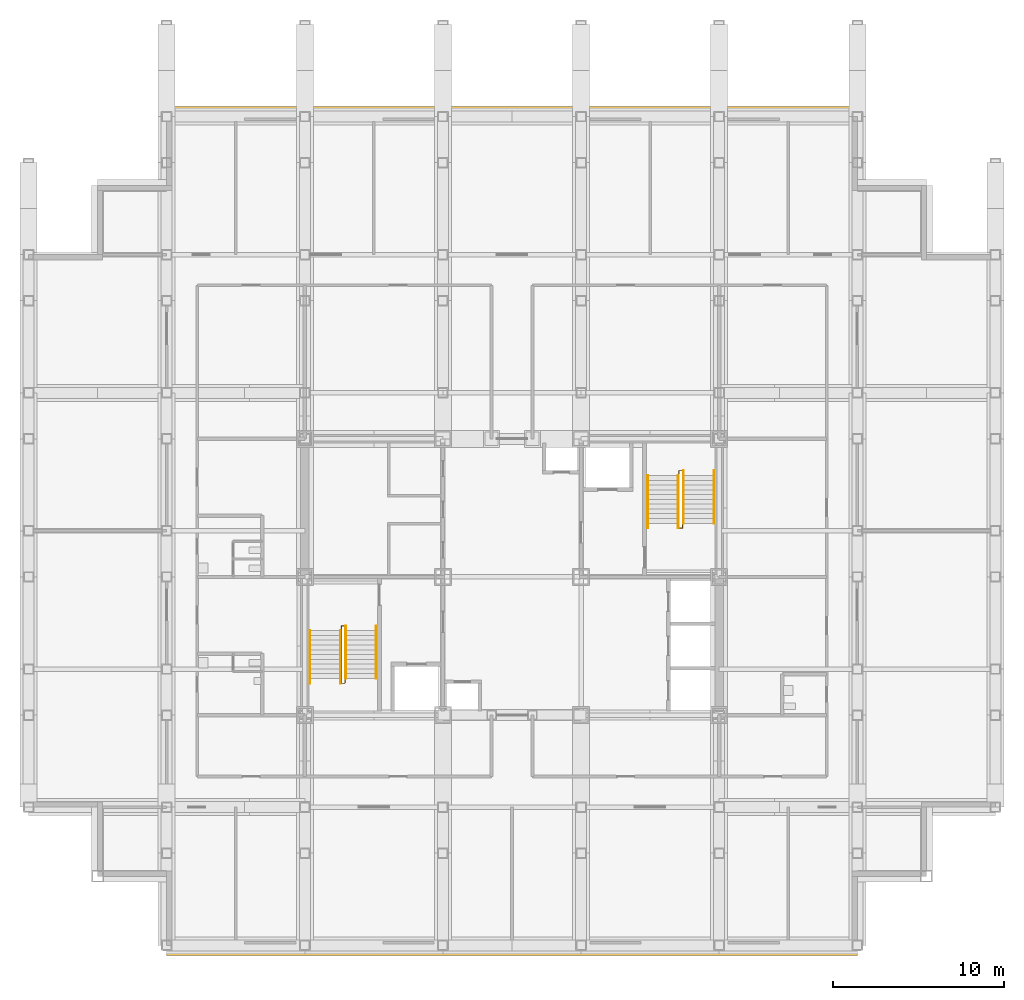
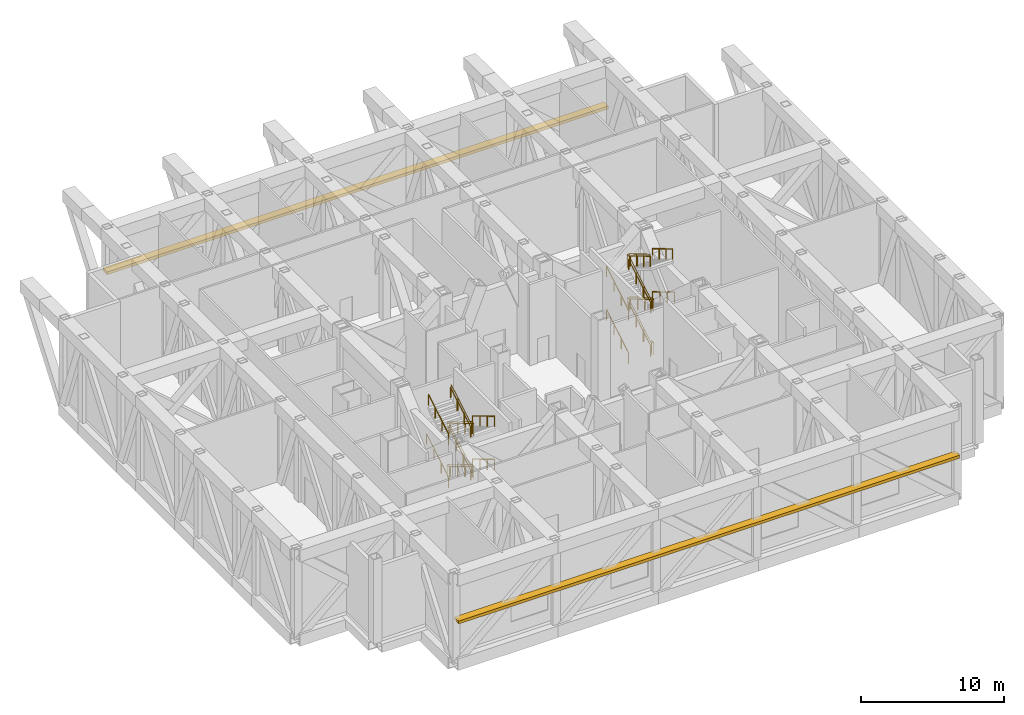
# One storey, part 12 of 13: 18 railings, 2 shading devices.
"""IFC4 building model written with IfcOpenShell, lengths in metres."""

from ifc_helpers import new_model, si_unit, direction, frame, origin, origin_2d, place, context, subcontext, project, spatial, rectangle, circle, extrude, material, type_object, element, save


model = new_model("IFC4")

# Units and contexts
model_context = context("Model", 3, precision=1e-05, world=origin(), true_north=direction((0.0, 1.0)))
body_context = subcontext(model_context, "Body", "Model", "MODEL_VIEW")
ifc_project = project(units=[si_unit("LENGTHUNIT", "METRE"), si_unit("AREAUNIT", "SQUARE_METRE"), si_unit("VOLUMEUNIT", "CUBIC_METRE"), si_unit("PLANEANGLEUNIT", "RADIAN"), si_unit("MASSUNIT", "GRAM", prefix="KILO")], contexts=[model_context])

# Site, building, storey
site_placement = place(None, origin())
site = spatial("IfcSite", under=ifc_project, at=site_placement, CompositionType="ELEMENT")
building_placement = place(site_placement, origin())
building = spatial("IfcBuilding", under=site, at=building_placement, Name="Kopane Lantern Tower", CompositionType="ELEMENT")
storey_placement = place(building_placement, frame((0.0, 0.0, 235.199951171875)))
storey = spatial("IfcBuildingStorey", under=building, at=storey_placement, Name="L61", CompositionType="ELEMENT", Elevation=235.199951171875)

# Railings
ifc_material_1 = material(Name="Steel", Category="steel")
railing_type_1 = type_object("IfcRailingType", Name="STAIR GUARD 1100", PredefinedType="GUARDRAIL", material=ifc_material_1)
railing_1_placement = place(storey_placement, frame((18.35009765625, 29.25, 0.0)))
element("IfcRailing", 1, at=railing_1_placement, inside=storey, type_object=railing_type_1, Name="ST1 well guard L61", PredefinedType="GUARDRAIL", context=body_context, shape_type="SweptSolid", body=[
    extrude(circle(Radius=0.02392578125, at=origin_2d()), frame((0.0, 0.0, 1.076171875), z_axis=(0.0, 1.0, 0.0), x_axis=(-1.0, 0.0, 0.0)), (0.0, 0.0, 1.0), 0.280029296875),
    extrude(circle(Radius=0.02392578125, at=origin_2d()), frame((0.0, 0.280029296875, 1.076171875), z_axis=(1.0, 0.0, 0.0), x_axis=(0.0, 1.0, 0.0)), (0.0, 0.0, 1.0), 0.199951171875),
    extrude(circle(Radius=0.02392578125, at=origin_2d()), frame((0.199951171875, 0.280029296875, 1.076171875), z_axis=(0.0, -0.85823033734, 0.513264734879), x_axis=(1.0, 0.0, 0.0)), (0.0, 0.0, 1.0), 3.5888671875),
    extrude(circle(Radius=0.02392578125, at=origin_2d()), frame((0.199951171875, -2.800048828125, 2.91796875), z_axis=(0.0, -1.0, 0.0), x_axis=(1.0, 0.0, 0.0)), (0.0, 0.0, 1.0), 0.280029296875),
    extrude(circle(Radius=0.02392578125, at=origin_2d()), frame((0.199951171875, -3.080078125, 2.91796875), z_axis=(-1.0, 0.0, 0.0), x_axis=(0.0, -1.0, 0.0)), (0.0, 0.0, 1.0), 0.199951171875),
    extrude(circle(Radius=0.02392578125, at=origin_2d()), frame((0.0, -3.080078125, 2.91796875), z_axis=(0.0, 0.858260302833, 0.513214626234), x_axis=(-1.0, 0.0, 0.0)), (0.0, 0.0, 1.0), 3.5888671875),
    extrude(circle(Radius=0.02392578125, at=origin_2d()), frame((0.0, 0.0, 4.759765625), z_axis=(0.0, 1.0, 0.0), x_axis=(-1.0, 0.0, 0.0)), (0.0, 0.0, 1.0), 0.280029296875),
    extrude(circle(Radius=0.02392578125, at=origin_2d()), frame((0.0, 0.280029296875, 4.759765625), z_axis=(1.0, 0.0, 0.0), x_axis=(0.0, 1.0, 0.0)), (0.0, 0.0, 1.0), 0.199951171875),
    extrude(circle(Radius=0.02392578125, at=origin_2d()), frame((0.199951171875, 0.280029296875, 4.759765625), z_axis=(0.0, -0.858260302833, 0.513214626234), x_axis=(1.0, 0.0, 0.0)), (0.0, 0.0, 1.0), 3.5888671875),
    extrude(circle(Radius=0.02392578125, at=origin_2d()), frame((0.199951171875, -2.800048828125, 6.6015625), z_axis=(0.0, -1.0, 0.0), x_axis=(1.0, 0.0, 0.0)), (0.0, 0.0, 1.0), 0.280029296875),
    extrude(circle(Radius=0.02392578125, at=origin_2d()), frame((0.199951171875, -3.080078125, 6.6015625), z_axis=(-1.0, 0.0, 0.0), x_axis=(0.0, -1.0, 0.0)), (0.0, 0.0, 1.0), 0.199951171875),
    extrude(circle(Radius=0.02392578125, at=origin_2d()), frame((0.0, -3.080078125, 6.6015625), z_axis=(0.0, 0.858264504049, 0.513207600381), x_axis=(-1.0, 0.0, 0.0)), (0.0, 0.0, 1.0), 3.262451171875),
    extrude(circle(Radius=0.02099609375, at=origin_2d()), origin(), (0.0, 0.0, 1.0), 1.052001953125),
    extrude(circle(Radius=0.02099609375, at=origin_2d()), frame((0.0, 0.280029296875, 0.0)), (0.0, 0.0, 1.0), 1.052001953125),
    extrude(circle(Radius=0.02099609375, at=origin_2d()), frame((0.199951171875, 0.280029296875, 0.0)), (0.0, 0.0, 1.0), 1.052001953125),
    extrude(circle(Radius=0.02099609375, at=origin_2d()), frame((0.199951171875, -0.74658203125, 0.614013671875)), (0.0, 0.0, 1.0), 1.052001953125),
    extrude(circle(Radius=0.02099609375, at=origin_2d()), frame((0.199951171875, -1.7734375, 1.22802734375)), (0.0, 0.0, 1.0), 1.052001953125),
    extrude(circle(Radius=0.02099609375, at=origin_2d()), frame((0.199951171875, -2.800048828125, 1.842041015625)), (0.0, 0.0, 1.0), 1.052001953125),
    extrude(circle(Radius=0.02099609375, at=origin_2d()), frame((0.199951171875, -3.080078125, 1.842041015625)), (0.0, 0.0, 1.0), 1.052001953125),
    extrude(circle(Radius=0.02099609375, at=origin_2d()), frame((0.0, -3.080078125, 1.842041015625)), (0.0, 0.0, 1.0), 1.052001953125),
    extrude(circle(Radius=0.02099609375, at=origin_2d()), frame((0.0, -2.053466796875, 2.4560546875)), (0.0, 0.0, 1.0), 1.052001953125),
    extrude(circle(Radius=0.02099609375, at=origin_2d()), frame((0.0, -1.026611328125, 3.06982421875)), (0.0, 0.0, 1.0), 1.052001953125),
    extrude(circle(Radius=0.02099609375, at=origin_2d()), frame((0.0, 0.0, 3.683837890625)), (0.0, 0.0, 1.0), 1.052001953125),
    extrude(circle(Radius=0.02099609375, at=origin_2d()), frame((0.0, 0.280029296875, 3.683837890625)), (0.0, 0.0, 1.0), 1.052001953125),
    extrude(circle(Radius=0.02099609375, at=origin_2d()), frame((0.199951171875, 0.280029296875, 3.683837890625)), (0.0, 0.0, 1.0), 1.052001953125),
    extrude(circle(Radius=0.02099609375, at=origin_2d()), frame((0.199951171875, -0.74658203125, 4.2978515625)), (0.0, 0.0, 1.0), 1.052001953125),
    extrude(circle(Radius=0.02099609375, at=origin_2d()), frame((0.199951171875, -1.7734375, 4.91162109375)), (0.0, 0.0, 1.0), 1.052001953125),
    extrude(circle(Radius=0.02099609375, at=origin_2d()), frame((0.199951171875, -2.800048828125, 5.525634765625)), (0.0, 0.0, 1.0), 1.052001953125),
    extrude(circle(Radius=0.02099609375, at=origin_2d()), frame((0.199951171875, -3.080078125, 5.525634765625)), (0.0, 0.0, 1.0), 1.052001953125),
    extrude(circle(Radius=0.02099609375, at=origin_2d()), frame((0.0, -3.080078125, 5.525634765625)), (0.0, 0.0, 1.0), 1.052001953125),
    extrude(circle(Radius=0.02099609375, at=origin_2d()), frame((0.0, -2.146728515625, 6.083740234375)), (0.0, 0.0, 1.0), 1.052001953125),
    extrude(circle(Radius=0.02099609375, at=origin_2d()), frame((0.0, -1.21337890625, 6.641845703125)), (0.0, 0.0, 1.0), 1.052001953125),
    extrude(circle(Radius=0.02099609375, at=origin_2d()), frame((0.0, -0.280029296875, 7.199951171875)), (0.0, 0.0, 1.0), 1.052001953125),
])
railing_2_placement = place(storey_placement, frame((38.35009765625, 35.550048828125, 0.0)))
element("IfcRailing", 2, at=railing_2_placement, inside=storey, type_object=railing_type_1, Name="ST2 well guard L61", PredefinedType="GUARDRAIL", context=body_context, shape_type="SweptSolid", body=[
    extrude(circle(Radius=0.02392578125, at=origin_2d()), frame((0.0, 0.0, 1.076171875), z_axis=(0.0, -1.0, 0.0), x_axis=(1.0, 0.0, 0.0)), (0.0, 0.0, 1.0), 0.280029296875),
    extrude(circle(Radius=0.02392578125, at=origin_2d()), frame((0.0, -0.280029296875, 1.076171875), z_axis=(-1.0, 0.0, 0.0), x_axis=(0.0, -1.0, 0.0)), (0.0, 0.0, 1.0), 0.2001953125),
    extrude(circle(Radius=0.02392578125, at=origin_2d()), frame((-0.2001953125, -0.280029296875, 1.076171875), z_axis=(0.0, 0.85823033734, 0.513264734879), x_axis=(-1.0, 0.0, 0.0)), (0.0, 0.0, 1.0), 3.5888671875),
    extrude(circle(Radius=0.02392578125, at=origin_2d()), frame((-0.2001953125, 2.800048828125, 2.91796875), z_axis=(0.0, 1.0, 0.0), x_axis=(-1.0, 0.0, 0.0)), (0.0, 0.0, 1.0), 0.27978515625),
    extrude(circle(Radius=0.02392578125, at=origin_2d()), frame((-0.2001953125, 3.079833984375, 2.91796875), z_axis=(1.0, 0.0, 0.0), x_axis=(0.0, 1.0, 0.0)), (0.0, 0.0, 1.0), 0.2001953125),
    extrude(circle(Radius=0.02392578125, at=origin_2d()), frame((0.0, 3.079833984375, 2.91796875), z_axis=(0.0, -0.858242383022, 0.513244592748), x_axis=(1.0, 0.0, 0.0)), (0.0, 0.0, 1.0), 3.588623046875),
    extrude(circle(Radius=0.02392578125, at=origin_2d()), frame((0.0, 0.0, 4.759765625), z_axis=(0.0, -1.0, 0.0), x_axis=(1.0, 0.0, 0.0)), (0.0, 0.0, 1.0), 0.280029296875),
    extrude(circle(Radius=0.02392578125, at=origin_2d()), frame((0.0, -0.280029296875, 4.759765625), z_axis=(-1.0, 0.0, 0.0), x_axis=(0.0, -1.0, 0.0)), (0.0, 0.0, 1.0), 0.2001953125),
    extrude(circle(Radius=0.02392578125, at=origin_2d()), frame((-0.2001953125, -0.280029296875, 4.759765625), z_axis=(0.0, 0.858260302833, 0.513214626234), x_axis=(-1.0, 0.0, 0.0)), (0.0, 0.0, 1.0), 3.5888671875),
    extrude(circle(Radius=0.02392578125, at=origin_2d()), frame((-0.2001953125, 2.800048828125, 6.6015625), z_axis=(0.0, 1.0, 0.0), x_axis=(-1.0, 0.0, 0.0)), (0.0, 0.0, 1.0), 0.27978515625),
    extrude(circle(Radius=0.02392578125, at=origin_2d()), frame((-0.2001953125, 3.079833984375, 6.6015625), z_axis=(1.0, 0.0, 0.0), x_axis=(0.0, 1.0, 0.0)), (0.0, 0.0, 1.0), 0.2001953125),
    extrude(circle(Radius=0.02392578125, at=origin_2d()), frame((0.0, 3.079833984375, 6.6015625), z_axis=(0.0, -0.858244792371, 0.513240563837), x_axis=(1.0, 0.0, 0.0)), (0.0, 0.0, 1.0), 3.26220703125),
    extrude(circle(Radius=0.02099609375, at=origin_2d()), origin(), (0.0, 0.0, 1.0), 1.052001953125),
    extrude(circle(Radius=0.02099609375, at=origin_2d()), frame((0.0, -0.280029296875, 0.0)), (0.0, 0.0, 1.0), 1.052001953125),
    extrude(circle(Radius=0.02099609375, at=origin_2d()), frame((-0.2001953125, -0.280029296875, 0.0)), (0.0, 0.0, 1.0), 1.052001953125),
    extrude(circle(Radius=0.02099609375, at=origin_2d()), frame((-0.2001953125, 0.74658203125, 0.614013671875)), (0.0, 0.0, 1.0), 1.052001953125),
    extrude(circle(Radius=0.02099609375, at=origin_2d()), frame((-0.2001953125, 1.7734375, 1.22802734375)), (0.0, 0.0, 1.0), 1.052001953125),
    extrude(circle(Radius=0.02099609375, at=origin_2d()), frame((-0.2001953125, 2.800048828125, 1.842041015625)), (0.0, 0.0, 1.0), 1.052001953125),
    extrude(circle(Radius=0.02099609375, at=origin_2d()), frame((-0.2001953125, 3.079833984375, 1.842041015625)), (0.0, 0.0, 1.0), 1.052001953125),
    extrude(circle(Radius=0.02099609375, at=origin_2d()), frame((0.0, 3.079833984375, 1.842041015625)), (0.0, 0.0, 1.0), 1.052001953125),
    extrude(circle(Radius=0.02099609375, at=origin_2d()), frame((0.0, 2.05322265625, 2.4560546875)), (0.0, 0.0, 1.0), 1.052001953125),
    extrude(circle(Radius=0.02099609375, at=origin_2d()), frame((0.0, 1.026611328125, 3.06982421875)), (0.0, 0.0, 1.0), 1.052001953125),
    extrude(circle(Radius=0.02099609375, at=origin_2d()), frame((0.0, 0.0, 3.683837890625)), (0.0, 0.0, 1.0), 1.052001953125),
    extrude(circle(Radius=0.02099609375, at=origin_2d()), frame((0.0, -0.280029296875, 3.683837890625)), (0.0, 0.0, 1.0), 1.052001953125),
    extrude(circle(Radius=0.02099609375, at=origin_2d()), frame((-0.2001953125, -0.280029296875, 3.683837890625)), (0.0, 0.0, 1.0), 1.052001953125),
    extrude(circle(Radius=0.02099609375, at=origin_2d()), frame((-0.2001953125, 0.74658203125, 4.2978515625)), (0.0, 0.0, 1.0), 1.052001953125),
    extrude(circle(Radius=0.02099609375, at=origin_2d()), frame((-0.2001953125, 1.7734375, 4.91162109375)), (0.0, 0.0, 1.0), 1.052001953125),
    extrude(circle(Radius=0.02099609375, at=origin_2d()), frame((-0.2001953125, 2.800048828125, 5.525634765625)), (0.0, 0.0, 1.0), 1.052001953125),
    extrude(circle(Radius=0.02099609375, at=origin_2d()), frame((-0.2001953125, 3.079833984375, 5.525634765625)), (0.0, 0.0, 1.0), 1.052001953125),
    extrude(circle(Radius=0.02099609375, at=origin_2d()), frame((0.0, 3.079833984375, 5.525634765625)), (0.0, 0.0, 1.0), 1.052001953125),
    extrude(circle(Radius=0.02099609375, at=origin_2d()), frame((0.0, 2.146484375, 6.083740234375)), (0.0, 0.0, 1.0), 1.052001953125),
    extrude(circle(Radius=0.02099609375, at=origin_2d()), frame((0.0, 1.21337890625, 6.641845703125)), (0.0, 0.0, 1.0), 1.052001953125),
    extrude(circle(Radius=0.02099609375, at=origin_2d()), frame((0.0, 0.280029296875, 7.199951171875)), (0.0, 0.0, 1.0), 1.052001953125),
])
ifc_material_2 = material(Name="Steel", Category="steel")
railing_type_2 = type_object("IfcRailingType", Name="STAIR HANDRAIL 900", PredefinedType="HANDRAIL", material=ifc_material_2)
for number, where, name in (
    (3, (20.389892578125, 29.530029296875, 0.0), "ST1 handrail L61 flight 1"),
    (4, (18.610107421875, 29.530029296875, 0.0), "ST1 handrail L61 flight 1"),
):
    element("IfcRailing", number, at=place(storey_placement, frame(where)), inside=storey, type_object=railing_type_2, Name=name, PredefinedType="HANDRAIL", context=body_context, shape_type="SweptSolid", body=[
        extrude(circle(Radius=0.02392578125, at=origin_2d()), frame((0.0, 0.0, 0.8759765625), z_axis=(0.0, -0.85823033734, 0.513264734879), x_axis=(1.0, 0.0, 0.0)), (0.0, 0.0, 1.0), 3.5888671875),
        extrude(circle(Radius=0.02099609375, at=origin_2d()), origin(), (0.0, 0.0, 1.0), 0.851806640625),
        extrude(circle(Radius=0.02099609375, at=origin_2d()), frame((0.0, -1.026611328125, 0.614013671875)), (0.0, 0.0, 1.0), 0.851806640625),
        extrude(circle(Radius=0.02099609375, at=origin_2d()), frame((0.0, -2.053466796875, 1.22802734375)), (0.0, 0.0, 1.0), 0.851806640625),
        extrude(circle(Radius=0.02099609375, at=origin_2d()), frame((0.0, -3.080078125, 1.842041015625)), (0.0, 0.0, 1.0), 0.851806640625),
    ])
for number, where, name in (
    (5, (16.510009765625, 26.169921875, 1.842041015625), "ST1 handrail L61 flight 2"),
    (6, (18.2900390625, 26.169921875, 1.842041015625), "ST1 handrail L61 flight 2"),
):
    element("IfcRailing", number, at=place(storey_placement, frame(where)), inside=storey, type_object=railing_type_2, Name=name, PredefinedType="HANDRAIL", context=body_context, shape_type="SweptSolid", body=[
        extrude(circle(Radius=0.02392578125, at=origin_2d()), frame((0.0, 0.0, 0.8759765625), z_axis=(0.0, 0.858260302833, 0.513214626234), x_axis=(-1.0, 0.0, 0.0)), (0.0, 0.0, 1.0), 3.5888671875),
        extrude(circle(Radius=0.02099609375, at=origin_2d()), origin(), (0.0, 0.0, 1.0), 0.851806640625),
        extrude(circle(Radius=0.02099609375, at=origin_2d()), frame((0.0, 1.026611328125, 0.614013671875)), (0.0, 0.0, 1.0), 0.851806640625),
        extrude(circle(Radius=0.02099609375, at=origin_2d()), frame((0.0, 2.053466796875, 1.227783203125)), (0.0, 0.0, 1.0), 0.851806640625),
        extrude(circle(Radius=0.02099609375, at=origin_2d()), frame((0.0, 3.080078125, 1.841796875)), (0.0, 0.0, 1.0), 0.851806640625),
    ])
for number, where, name in (
    (7, (20.389892578125, 29.530029296875, 3.683837890625), "ST1 handrail L61 flight 3"),
    (8, (18.610107421875, 29.530029296875, 3.683837890625), "ST1 handrail L61 flight 3"),
):
    element("IfcRailing", number, at=place(storey_placement, frame(where)), inside=storey, type_object=railing_type_2, Name=name, PredefinedType="HANDRAIL", context=body_context, shape_type="SweptSolid", body=[
        extrude(circle(Radius=0.02392578125, at=origin_2d()), frame((0.0, 0.0, 0.8759765625), z_axis=(0.0, -0.858260302833, 0.513214626234), x_axis=(1.0, 0.0, 0.0)), (0.0, 0.0, 1.0), 3.5888671875),
        extrude(circle(Radius=0.02099609375, at=origin_2d()), origin(), (0.0, 0.0, 1.0), 0.851806640625),
        extrude(circle(Radius=0.02099609375, at=origin_2d()), frame((0.0, -1.026611328125, 0.614013671875)), (0.0, 0.0, 1.0), 0.851806640625),
        extrude(circle(Radius=0.02099609375, at=origin_2d()), frame((0.0, -2.053466796875, 1.227783203125)), (0.0, 0.0, 1.0), 0.851806640625),
        extrude(circle(Radius=0.02099609375, at=origin_2d()), frame((0.0, -3.080078125, 1.841796875)), (0.0, 0.0, 1.0), 0.851806640625),
    ])
for number, where, name in (
    (9, (16.510009765625, 26.169921875, 5.525634765625), "ST1 handrail L61 flight 4"),
    (10, (18.2900390625, 26.169921875, 5.525634765625), "ST1 handrail L61 flight 4"),
):
    element("IfcRailing", number, at=place(storey_placement, frame(where)), inside=storey, type_object=railing_type_2, Name=name, PredefinedType="HANDRAIL", context=body_context, shape_type="SweptSolid", body=[
        extrude(circle(Radius=0.02392578125, at=origin_2d()), frame((0.0, 0.0, 0.8759765625), z_axis=(0.0, 0.858264504049, 0.513207600381), x_axis=(-1.0, 0.0, 0.0)), (0.0, 0.0, 1.0), 3.262451171875),
        extrude(circle(Radius=0.02099609375, at=origin_2d()), origin(), (0.0, 0.0, 1.0), 0.851806640625),
        extrude(circle(Radius=0.02099609375, at=origin_2d()), frame((0.0, 0.933349609375, 0.55810546875)), (0.0, 0.0, 1.0), 0.851806640625),
        extrude(circle(Radius=0.02099609375, at=origin_2d()), frame((0.0, 1.86669921875, 1.1162109375)), (0.0, 0.0, 1.0), 0.851806640625),
        extrude(circle(Radius=0.02099609375, at=origin_2d()), frame((0.0, 2.800048828125, 1.67431640625)), (0.0, 0.0, 1.0), 0.851806640625),
    ])
for number, where, name in (
    (11, (36.31005859375, 35.27001953125, 0.0), "ST2 handrail L61 flight 1"),
    (12, (38.090087890625, 35.27001953125, 0.0), "ST2 handrail L61 flight 1"),
):
    element("IfcRailing", number, at=place(storey_placement, frame(where)), inside=storey, type_object=railing_type_2, Name=name, PredefinedType="HANDRAIL", context=body_context, shape_type="SweptSolid", body=[
        extrude(circle(Radius=0.02392578125, at=origin_2d()), frame((0.0, 0.0, 0.8759765625), z_axis=(0.0, 0.85823033734, 0.513264734879), x_axis=(-1.0, 0.0, 0.0)), (0.0, 0.0, 1.0), 3.5888671875),
        extrude(circle(Radius=0.02099609375, at=origin_2d()), origin(), (0.0, 0.0, 1.0), 0.851806640625),
        extrude(circle(Radius=0.02099609375, at=origin_2d()), frame((0.0, 1.026611328125, 0.614013671875)), (0.0, 0.0, 1.0), 0.851806640625),
        extrude(circle(Radius=0.02099609375, at=origin_2d()), frame((0.0, 2.053466796875, 1.22802734375)), (0.0, 0.0, 1.0), 0.851806640625),
        extrude(circle(Radius=0.02099609375, at=origin_2d()), frame((0.0, 3.080078125, 1.842041015625)), (0.0, 0.0, 1.0), 0.851806640625),
    ])
for number, where, name in (
    (13, (40.18994140625, 38.6298828125, 1.842041015625), "ST2 handrail L61 flight 2"),
    (14, (38.409912109375, 38.6298828125, 1.842041015625), "ST2 handrail L61 flight 2"),
):
    element("IfcRailing", number, at=place(storey_placement, frame(where)), inside=storey, type_object=railing_type_2, Name=name, PredefinedType="HANDRAIL", context=body_context, shape_type="SweptSolid", body=[
        extrude(circle(Radius=0.02392578125, at=origin_2d()), frame((0.0, 0.0, 0.8759765625), z_axis=(0.0, -0.858242383022, 0.513244592748), x_axis=(1.0, 0.0, 0.0)), (0.0, 0.0, 1.0), 3.588623046875),
        extrude(circle(Radius=0.02099609375, at=origin_2d()), origin(), (0.0, 0.0, 1.0), 0.851806640625),
        extrude(circle(Radius=0.02099609375, at=origin_2d()), frame((0.0, -1.026611328125, 0.614013671875)), (0.0, 0.0, 1.0), 0.851806640625),
        extrude(circle(Radius=0.02099609375, at=origin_2d()), frame((0.0, -2.05322265625, 1.227783203125)), (0.0, 0.0, 1.0), 0.851806640625),
        extrude(circle(Radius=0.02099609375, at=origin_2d()), frame((0.0, -3.079833984375, 1.841796875)), (0.0, 0.0, 1.0), 0.851806640625),
    ])
for number, where, name in (
    (15, (36.31005859375, 35.27001953125, 3.683837890625), "ST2 handrail L61 flight 3"),
    (16, (38.090087890625, 35.27001953125, 3.683837890625), "ST2 handrail L61 flight 3"),
):
    element("IfcRailing", number, at=place(storey_placement, frame(where)), inside=storey, type_object=railing_type_2, Name=name, PredefinedType="HANDRAIL", context=body_context, shape_type="SweptSolid", body=[
        extrude(circle(Radius=0.02392578125, at=origin_2d()), frame((0.0, 0.0, 0.8759765625), z_axis=(0.0, 0.858260302833, 0.513214626234), x_axis=(-1.0, 0.0, 0.0)), (0.0, 0.0, 1.0), 3.5888671875),
        extrude(circle(Radius=0.02099609375, at=origin_2d()), origin(), (0.0, 0.0, 1.0), 0.851806640625),
        extrude(circle(Radius=0.02099609375, at=origin_2d()), frame((0.0, 1.026611328125, 0.614013671875)), (0.0, 0.0, 1.0), 0.851806640625),
        extrude(circle(Radius=0.02099609375, at=origin_2d()), frame((0.0, 2.053466796875, 1.227783203125)), (0.0, 0.0, 1.0), 0.851806640625),
        extrude(circle(Radius=0.02099609375, at=origin_2d()), frame((0.0, 3.080078125, 1.841796875)), (0.0, 0.0, 1.0), 0.851806640625),
    ])
for number, where, name in (
    (17, (40.18994140625, 38.6298828125, 5.525634765625), "ST2 handrail L61 flight 4"),
    (18, (38.409912109375, 38.6298828125, 5.525634765625), "ST2 handrail L61 flight 4"),
):
    element("IfcRailing", number, at=place(storey_placement, frame(where)), inside=storey, type_object=railing_type_2, Name=name, PredefinedType="HANDRAIL", context=body_context, shape_type="SweptSolid", body=[
        extrude(circle(Radius=0.02392578125, at=origin_2d()), frame((0.0, 0.0, 0.8759765625), z_axis=(0.0, -0.858244792371, 0.513240563837), x_axis=(1.0, 0.0, 0.0)), (0.0, 0.0, 1.0), 3.26220703125),
        extrude(circle(Radius=0.02099609375, at=origin_2d()), origin(), (0.0, 0.0, 1.0), 0.851806640625),
        extrude(circle(Radius=0.02099609375, at=origin_2d()), frame((0.0, -0.933349609375, 0.55810546875)), (0.0, 0.0, 1.0), 0.851806640625),
        extrude(circle(Radius=0.02099609375, at=origin_2d()), frame((0.0, -1.866455078125, 1.1162109375)), (0.0, 0.0, 1.0), 0.851806640625),
        extrude(circle(Radius=0.02099609375, at=origin_2d()), frame((0.0, -2.7998046875, 1.67431640625)), (0.0, 0.0, 1.0), 0.851806640625),
    ])

# Shading devices
ifc_material_3 = material(Name="Terracotta rainscreen on light steel framing", Category="masonry")
shading_device_type = type_object("IfcShadingDeviceType", Name="SUNSHADE BAND SB1 600 TERRACOTTA", PredefinedType="USERDEFINED", material=ifc_material_3)
for number, where, z_axis, x_axis, name in (
    (19, (28.35009765625, 10.5, 2.800048828125), (0.0, 0.0, 1.0), (1.0, 0.0, 0.0), "Sunshade band S L61"),
    (20, (28.35009765625, 59.699951171875, 2.800048828125), (0.0, 0.0, 1.0), (-1.0, 0.0, 0.0), "Sunshade band N L61"),
):
    element("IfcShadingDevice", number, at=place(storey_placement, frame(where, z_axis=z_axis, x_axis=x_axis)), inside=storey, type_object=shading_device_type, Name=name, ObjectType="SUNSHADE BAND", PredefinedType="USERDEFINED", context=body_context, shape_type="SweptSolid", body=[
        extrude(rectangle(XDim=40.5, YDim=0.60009765625, at=origin_2d()), origin(), (0.0, 0.0, 1.0), 0.25),
    ])

save(model, "model.ifc")
